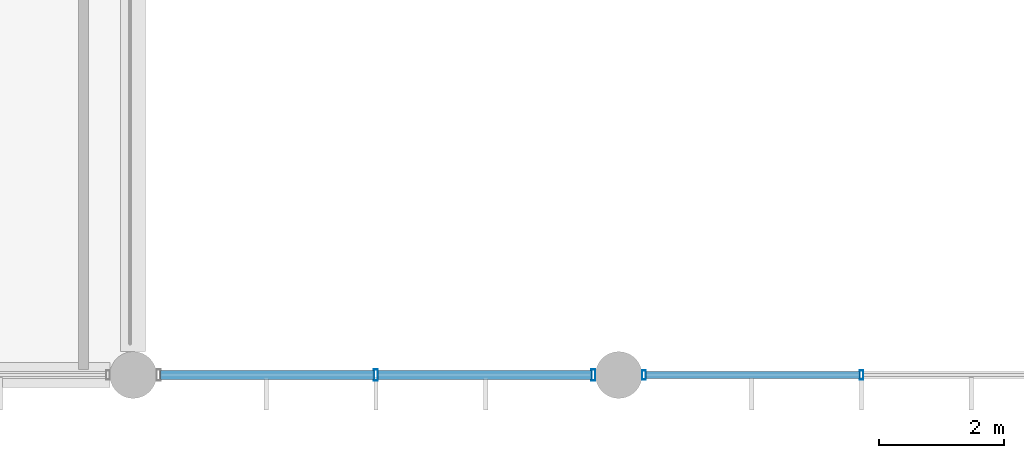
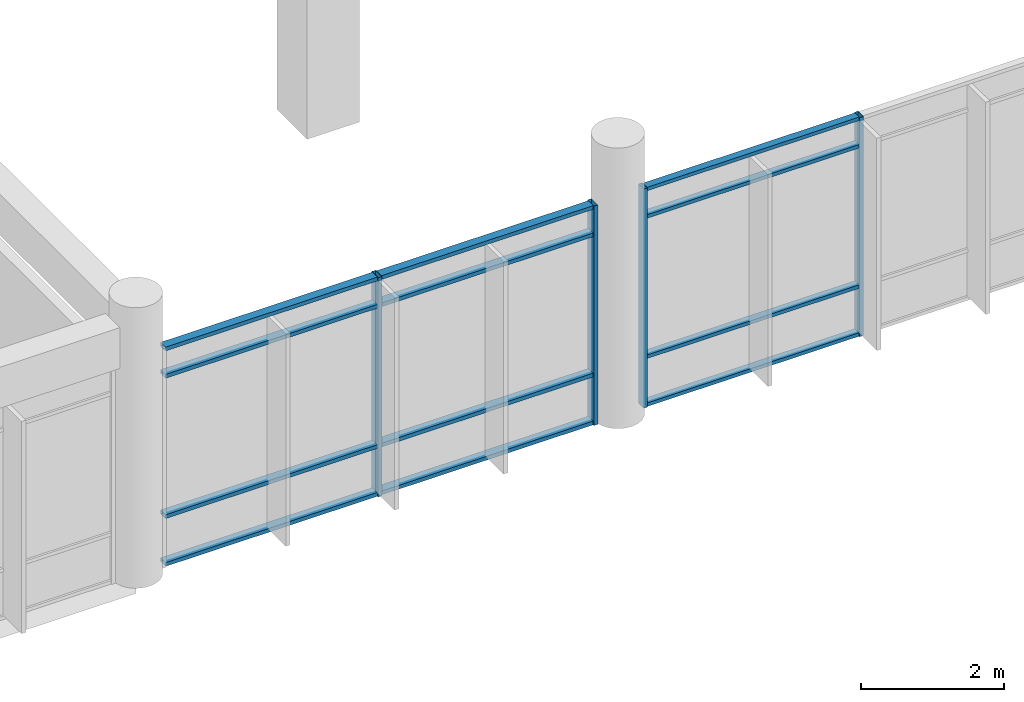
# One storey, part 11 of 79: 16 members, 2 elements without a shape of their own.
"""IFC4 building model written with IfcOpenShell, lengths in metres."""

import ifcopenshell
import ifcopenshell.guid

model = None  # the IFC model being written
_history = None  # IfcOwnerHistory: only IFC2X3 demands one
_inside = {}  # id of a spatial element -> (the spatial element, [elements in it])
_under = {}  # id of a project, library or spatial element -> (it, [spatial elements below it])
_declared = {}  # id of a project -> (the project, [libraries it declares])
_typed = {}  # id of a type object -> (the type object, [elements of that type])
_made_of = {}  # id of a material, layer set ... -> (it, [elements and type objects made of it])


def new_model(schema):
    """Start an empty IFC model of exactly this schema.

    Asked for "IFC4X3", IfcOpenShell would pick the latest addendum, in which some entities
    have other attributes; the version numbers below select the first issue.
    IFC2X3 requires an IfcOwnerHistory on every rooted entity: one is made here for all.
    """
    global model, _history
    if schema == "IFC4X3":
        model = ifcopenshell.file(schema_version=(4, 3, 0, 0))
    else:
        model = ifcopenshell.file(schema=schema)
    _inside.clear()
    _under.clear()
    _declared.clear()
    _typed.clear()
    _made_of.clear()
    _history = None
    if model.schema == "IFC2X3":
        org = make("IfcOrganization", Name="unknown")
        user = make(
            "IfcPersonAndOrganization",
            ThePerson=make("IfcPerson", FamilyName="unknown"),
            TheOrganization=org,
        )
        app = make(
            "IfcApplication",
            ApplicationDeveloper=org,
            Version="unknown",
            ApplicationFullName="unknown",
            ApplicationIdentifier="unknown",
        )
        _history = make(
            "IfcOwnerHistory",
            OwningUser=user,
            OwningApplication=app,
            ChangeAction="ADDED",
            CreationDate=0,
        )
    return model


def make(cls, **values):
    """One entity of the class cls with the attributes given. An attribute that is None is left unset."""
    return model.create_entity(
        cls, **{name: value for name, value in values.items() if value is not None}
    )


def rooted(cls, **values):
    """An entity with a GlobalId (a new one), such as an element, a storey or a relation."""
    return make(cls, GlobalId=ifcopenshell.guid.new(), OwnerHistory=_history, **values)


def si_unit(unit_type, name, prefix=None):
    """IfcSIUnit, for example si_unit("LENGTHUNIT", "METRE", prefix="MILLI")."""
    return make("IfcSIUnit", UnitType=unit_type, Prefix=prefix, Name=name)


def assignment(units):
    """IfcUnitAssignment: the units of a project."""
    return None if units is None else make("IfcUnitAssignment", Units=units)


def point(xyz):
    """IfcCartesianPoint."""
    return None if xyz is None else make("IfcCartesianPoint", Coordinates=xyz)


def direction(xyz):
    """IfcDirection."""
    return None if xyz is None else make("IfcDirection", DirectionRatios=xyz)


def frame(location, z_axis=None, x_axis=None):
    """IfcAxis2Placement3D, a coordinate frame: its origin and axes. An axis left out is left unset."""
    return make(
        "IfcAxis2Placement3D",
        Location=point(location),
        Axis=direction(z_axis),
        RefDirection=direction(x_axis),
    )


def frame_2d(location, x_axis=None):
    """IfcAxis2Placement2D, a coordinate frame in the plane: its origin and x axis."""
    return make(
        "IfcAxis2Placement2D", Location=point(location), RefDirection=direction(x_axis)
    )


def origin():
    """The frame at (0, 0, 0) with its axes left unset."""
    return frame((0.0, 0.0, 0.0))


def origin_2d():
    """The frame at (0, 0) in the plane with its x axis left unset."""
    return frame_2d((0.0, 0.0))


def place(relative_to, where):
    """IfcLocalPlacement: puts the frame where relative to a parent placement (None: the world)."""
    return make(
        "IfcLocalPlacement", PlacementRelTo=relative_to, RelativePlacement=where
    )


def context(
    kind, dimensions, precision=None, world=None, true_north=None, identifier=None
):
    """IfcGeometricRepresentationContext, for example the 3D "Model" context."""
    return make(
        "IfcGeometricRepresentationContext",
        ContextIdentifier=identifier,
        ContextType=kind,
        CoordinateSpaceDimension=dimensions,
        Precision=precision,
        WorldCoordinateSystem=world,
        TrueNorth=true_north,
    )


def subcontext(parent, identifier, kind, view, scale=None):
    """IfcGeometricRepresentationSubContext, for example "Body" below "Model"."""
    return make(
        "IfcGeometricRepresentationSubContext",
        ContextIdentifier=identifier,
        ContextType=kind,
        ParentContext=parent,
        TargetScale=scale,
        TargetView=view,
    )


def project(units=None, contexts=None):
    """IfcProject with its units and contexts."""
    return rooted(
        "IfcProject",
        Name="project",
        RepresentationContexts=contexts,
        UnitsInContext=assignment(units),
    )


def spatial(cls, under=None, at=None, **own):
    """A site, building, storey or space (cls), placed at a placement, below another one or the project."""
    s = rooted(cls, ObjectPlacement=at, **own)
    if under is not None:
        _under.setdefault(under.id(), (under, []))[1].append(s)
    return s


def profile(cls, at=None, kind="AREA", **sizes):
    """A parametric profile (cls). Its sizes go by their IFC names, for example OverallWidth=200.0."""
    return make(cls, ProfileType=kind, Position=at, **sizes)


def hollow_rectangle(**sizes):
    """IfcRectangleHollowProfileDef."""
    return profile("IfcRectangleHollowProfileDef", **sizes)


def extrude(swept, where, along, depth):
    """IfcExtrudedAreaSolid: the profile swept, set in the frame where, extruded along a direction by depth."""
    return make(
        "IfcExtrudedAreaSolid",
        SweptArea=swept,
        Position=where,
        ExtrudedDirection=direction(along),
        Depth=depth,
    )


def shape(context_of_items, identifier, shape_type, items):
    """IfcShapeRepresentation: the items that make up one representation, for example the "Body"."""
    return make(
        "IfcShapeRepresentation",
        ContextOfItems=context_of_items,
        RepresentationIdentifier=identifier,
        RepresentationType=shape_type,
        Items=items,
    )


def material(Name=None, Category=None):
    """IfcMaterial."""
    return make("IfcMaterial", Name=Name, Category=Category)


def material_profile(
    of_material, cross_section, Name=None, Category=None, Priority=None
):
    """IfcMaterialProfile: a cross section and its material."""
    return make(
        "IfcMaterialProfile",
        Name=Name,
        Material=of_material,
        Profile=cross_section,
        Priority=Priority,
        Category=Category,
    )


def profile_set(profiles, Name=None, composite=None):
    """IfcMaterialProfileSet."""
    return make(
        "IfcMaterialProfileSet",
        Name=Name,
        MaterialProfiles=profiles,
        CompositeProfile=composite,
    )


def made_of(thing, what):
    """Note that an element or type object is made of a material, layer set ...; save() writes the relation."""
    if what is not None:
        _made_of.setdefault(what.id(), (what, []))[1].append(thing)
    return thing


def type_object(cls, material=None, **own):
    """A type object (cls), such as IfcWallType, which elements share."""
    return made_of(rooted(cls, **own), material)


def element(
    cls,
    number,
    at=None,
    inside=None,
    cuts=None,
    type_object=None,
    material=None,
    context=None,
    identifier="Body",
    shape_type=None,
    held_by="IfcProductDefinitionShape",
    body=None,
    shapes=None,
    **own,
):
    """One element of the class cls, such as IfcWall. Its Tag is "e" and its number.

    at: its placement. inside: the storey or other place that contains it. cuts: it is an
    opening in that element (IfcRelVoidsElement). A single representation is given by context,
    identifier, shape_type and body (its items); several are given by shapes. held_by: the class
    of the entity that holds the representations. save() writes the other relations.
    """
    e = rooted(cls, Tag="e%d" % number, ObjectPlacement=at, **own)
    if body is not None:
        shapes = [shape(context, identifier, shape_type, body)]
    if shapes is not None:
        e.Representation = make(held_by, Representations=shapes)
    if inside is not None:
        _inside.setdefault(inside.id(), (inside, []))[1].append(e)
    if cuts is not None:
        rooted(
            "IfcRelVoidsElement", RelatingBuildingElement=cuts, RelatedOpeningElement=e
        )
    if type_object is not None:
        _typed.setdefault(type_object.id(), (type_object, []))[1].append(e)
    return made_of(e, material)


def aggregate(whole, parts):
    """IfcRelAggregates: a whole, such as a stair, and the parts it consists of."""
    return rooted("IfcRelAggregates", RelatingObject=whole, RelatedObjects=parts)


def save(model, path):
    """Write the relations noted so far, then the file.

    IfcRelAggregates (storeys below a building ...), IfcRelContainedInSpatialStructure (elements
    in a storey), IfcRelDefinesByType, IfcRelAssociatesMaterial and IfcRelDeclares: one each for
    every whole, place, type object, material and project.
    """
    for whole, parts in _under.values():
        aggregate(whole, parts)
    for where, things in _inside.values():
        rooted(
            "IfcRelContainedInSpatialStructure",
            RelatedElements=things,
            RelatingStructure=where,
        )
    for kind, things in _typed.values():
        rooted("IfcRelDefinesByType", RelatedObjects=things, RelatingType=kind)
    for what, things in _made_of.values():
        rooted("IfcRelAssociatesMaterial", RelatedObjects=things, RelatingMaterial=what)
    for by, libraries in _declared.values():
        rooted("IfcRelDeclares", RelatingContext=by, RelatedDefinitions=libraries)
    model.write(path)


model = new_model("IFC4")

# Units and contexts
model_context = context("Model", 3, precision=1e-05, world=origin(), true_north=direction((0.0, 1.0)))
body_context = subcontext(model_context, "Body", "Model", "MODEL_VIEW")
ifc_project = project(units=[si_unit("LENGTHUNIT", "METRE"), si_unit("AREAUNIT", "SQUARE_METRE"), si_unit("VOLUMEUNIT", "CUBIC_METRE"), si_unit("PLANEANGLEUNIT", "RADIAN"), si_unit("MASSUNIT", "GRAM", prefix="KILO"), si_unit("THERMODYNAMICTEMPERATUREUNIT", "KELVIN"), si_unit("POWERUNIT", "WATT")], contexts=[model_context])

# Site, building, storey
site_placement = place(None, origin())
site = spatial("IfcSite", under=ifc_project, at=site_placement, CompositionType="ELEMENT")
building_placement = place(site_placement, origin())
building = spatial("IfcBuilding", under=site, at=building_placement, Name="Srebrne Nadtorze General Hospital", CompositionType="ELEMENT")
storey_placement = place(building_placement, frame((0.0, 0.0, 4.800048828125)))
storey = spatial("IfcBuildingStorey", under=building, at=storey_placement, Name="L01", CompositionType="ELEMENT", Elevation=4.800048828125)

# Curtain wall, members
ifc_material_1 = material(Name="Anodised Aluminium", Category="aluminium")
curtain_wall_type = type_object("IfcCurtainWallType", Name="Unitised curtain wall 7050x3750", PredefinedType="NOTDEFINED", material=ifc_material_1)
curtain_wall_1_placement = place(storey_placement, origin())
curtain_wall_1 = element("IfcCurtainWall", 1, at=curtain_wall_1_placement, inside=storey, type_object=curtain_wall_type, Name="Curtain wall CW-032", PredefinedType="NOTDEFINED")
ifc_material_2 = material(Name="Anodised Aluminium", Category="aluminium")
ifc_material_profile_1 = material_profile(ifc_material_2, hollow_rectangle(XDim=0.06005859375, YDim=0.14990234375, WallThickness=0.00390625, at=origin_2d()), Name="AL-MUL-60x150")
ifc_profile_set_1 = profile_set([ifc_material_profile_1], Name="Anodised Aluminium")
member_type_1 = type_object("IfcMemberType", Name="Curtain mullion 60x150", PredefinedType="MULLION", material=ifc_profile_set_1)
member_1_placement = place(storey_placement, frame((70.60498046875, 0.0, 0.0), z_axis=(0.0, 0.0, 1.0), x_axis=(1.0, 0.0, 0.0)))
member_1 = element("IfcMember", 2, at=member_1_placement, type_object=member_type_1, Name="CW-032 mullion 1", PredefinedType="MULLION", context=body_context, shape_type="SweptSolid", body=[
    extrude(hollow_rectangle(XDim=0.06005859375, YDim=0.14990234375, WallThickness=0.00390625, at=origin_2d()), origin(), (0.0, 0.0, 1.0), 3.75),
])
member_2_placement = place(storey_placement, frame((74.10009765625, 0.0, 0.0), z_axis=(0.0, 0.0, 1.0), x_axis=(1.0, 0.0, 0.0)))
member_2 = element("IfcMember", 3, at=member_2_placement, type_object=member_type_1, Name="CW-032 mullion 2", PredefinedType="MULLION", context=body_context, shape_type="SweptSolid", body=[
    extrude(hollow_rectangle(XDim=0.06005859375, YDim=0.14990234375, WallThickness=0.00390625, at=origin_2d()), origin(), (0.0, 0.0, 1.0), 3.75),
])

curtain_wall_2_placement = place(storey_placement, origin())
curtain_wall_2 = element("IfcCurtainWall", 4, at=curtain_wall_2_placement, inside=storey, type_object=curtain_wall_type, Name="Curtain wall CW-031", PredefinedType="NOTDEFINED")
ifc_material_3 = material(Name="Anodised Aluminium", Category="aluminium")
ifc_material_profile_2 = material_profile(ifc_material_3, hollow_rectangle(XDim=0.06494140625, YDim=0.179931640625, WallThickness=0.00390625, at=origin_2d()), Name="AL-MUL-65x180")
ifc_profile_set_2 = profile_set([ifc_material_profile_2], Name="Anodised Aluminium")
member_type_2 = type_object("IfcMemberType", Name="Curtain mullion 65x180", PredefinedType="MULLION", material=ifc_profile_set_2)
member_3_placement = place(storey_placement, frame((66.300048828125, 0.0, 0.0), z_axis=(0.0, 0.0, 1.0), x_axis=(1.0, 0.0, 0.0)))
member_3 = element("IfcMember", 5, at=member_3_placement, type_object=member_type_2, Name="CW-031 mullion 2", PredefinedType="MULLION", context=body_context, shape_type="SweptSolid", body=[
    extrude(hollow_rectangle(XDim=0.06494140625, YDim=0.179931640625, WallThickness=0.00390625, at=origin_2d()), origin(), (0.0, 0.0, 1.0), 3.75),
])
member_4_placement = place(storey_placement, frame((69.79248046875, 0.0, 0.0), z_axis=(0.0, 0.0, 1.0), x_axis=(1.0, 0.0, 0.0)))
member_4 = element("IfcMember", 6, at=member_4_placement, type_object=member_type_2, Name="CW-031 mullion 3", PredefinedType="MULLION", context=body_context, shape_type="SweptSolid", body=[
    extrude(hollow_rectangle(XDim=0.06494140625, YDim=0.179931640625, WallThickness=0.00390625, at=origin_2d()), origin(), (0.0, 0.0, 1.0), 3.75),
])

# Member
ifc_material_4 = material(Name="Anodised Aluminium", Category="aluminium")
ifc_material_profile_3 = material_profile(ifc_material_4, hollow_rectangle(XDim=0.06005859375, YDim=0.1201171875, WallThickness=0.00390625, at=origin_2d()), Name="AL-TRN-60x120")
ifc_profile_set_3 = profile_set([ifc_material_profile_3], Name="Anodised Aluminium")
member_type_3 = type_object("IfcMemberType", Name="Curtain transom 60x120", PredefinedType="USERDEFINED", material=ifc_profile_set_3)
member_5_placement = place(storey_placement, frame((70.635009765625, 0.0, 0.030029296875), z_axis=(1.0, 0.0, 0.0), x_axis=(0.0, 0.0, 1.0)))
member_5 = element("IfcMember", 7, at=member_5_placement, type_object=member_type_3, Name="CW-032 transom 1.1", ObjectType="TRANSOM", PredefinedType="USERDEFINED", context=body_context, shape_type="SweptSolid", body=[
    extrude(hollow_rectangle(XDim=0.06005859375, YDim=0.1201171875, WallThickness=0.00390625, at=origin_2d()), origin(), (0.0, 0.0, 1.0), 3.43505859375),
])

member_6_placement = place(storey_placement, frame((70.635009765625, 0.0, 0.849853515625), z_axis=(1.0, 0.0, 0.0), x_axis=(0.0, 0.0, 1.0)))
member_6 = element("IfcMember", 8, at=member_6_placement, type_object=member_type_3, Name="CW-032 transom 1.2", ObjectType="TRANSOM", PredefinedType="USERDEFINED", context=body_context, shape_type="SweptSolid", body=[
    extrude(hollow_rectangle(XDim=0.06005859375, YDim=0.1201171875, WallThickness=0.00390625, at=origin_2d()), origin(), (0.0, 0.0, 1.0), 3.43505859375),
])

member_7_placement = place(storey_placement, frame((70.635009765625, 0.0, 3.25), z_axis=(1.0, 0.0, 0.0), x_axis=(0.0, 0.0, 1.0)))
member_7 = element("IfcMember", 9, at=member_7_placement, type_object=member_type_3, Name="CW-032 transom 1.3", ObjectType="TRANSOM", PredefinedType="USERDEFINED", context=body_context, shape_type="SweptSolid", body=[
    extrude(hollow_rectangle(XDim=0.06005859375, YDim=0.1201171875, WallThickness=0.00390625, at=origin_2d()), origin(), (0.0, 0.0, 1.0), 3.43505859375),
])

member_8_placement = place(storey_placement, frame((70.635009765625, 0.0, 3.719970703125), z_axis=(1.0, 0.0, 0.0), x_axis=(0.0, 0.0, 1.0)))
member_8 = element("IfcMember", 10, at=member_8_placement, type_object=member_type_3, Name="CW-032 transom 1.4", ObjectType="TRANSOM", PredefinedType="USERDEFINED", context=body_context, shape_type="SweptSolid", body=[
    extrude(hollow_rectangle(XDim=0.06005859375, YDim=0.1201171875, WallThickness=0.00390625, at=origin_2d()), origin(), (0.0, 0.0, 1.0), 3.43505859375),
])

aggregate(curtain_wall_1, [member_1, member_2, member_5, member_6, member_7, member_8])

ifc_material_5 = material(Name="Anodised Aluminium", Category="aluminium")
ifc_material_profile_4 = material_profile(ifc_material_5, hollow_rectangle(XDim=0.06494140625, YDim=0.139892578125, WallThickness=0.00390625, at=origin_2d()), Name="AL-TRN-65x140")
ifc_profile_set_4 = profile_set([ifc_material_profile_4], Name="Anodised Aluminium")
member_type_4 = type_object("IfcMemberType", Name="Curtain transom 65x140", PredefinedType="USERDEFINED", material=ifc_profile_set_4)
member_9_placement = place(storey_placement, frame((62.840087890625, 0.0, 0.032470703125), z_axis=(1.0, 0.0, 0.0), x_axis=(0.0, 0.0, 1.0)))
member_9 = element("IfcMember", 11, at=member_9_placement, type_object=member_type_4, Name="CW-031 transom 1.1", ObjectType="TRANSOM", PredefinedType="USERDEFINED", context=body_context, shape_type="SweptSolid", body=[
    extrude(hollow_rectangle(XDim=0.06494140625, YDim=0.139892578125, WallThickness=0.00390625, at=origin_2d()), origin(), (0.0, 0.0, 1.0), 3.427490234375),
])

member_10_placement = place(storey_placement, frame((62.840087890625, 0.0, 0.849853515625), z_axis=(1.0, 0.0, 0.0), x_axis=(0.0, 0.0, 1.0)))
member_10 = element("IfcMember", 12, at=member_10_placement, type_object=member_type_4, Name="CW-031 transom 1.2", ObjectType="TRANSOM", PredefinedType="USERDEFINED", context=body_context, shape_type="SweptSolid", body=[
    extrude(hollow_rectangle(XDim=0.06494140625, YDim=0.139892578125, WallThickness=0.00390625, at=origin_2d()), origin(), (0.0, 0.0, 1.0), 3.427490234375),
])

member_11_placement = place(storey_placement, frame((62.840087890625, 0.0, 3.25), z_axis=(1.0, 0.0, 0.0), x_axis=(0.0, 0.0, 1.0)))
member_11 = element("IfcMember", 13, at=member_11_placement, type_object=member_type_4, Name="CW-031 transom 1.3", ObjectType="TRANSOM", PredefinedType="USERDEFINED", context=body_context, shape_type="SweptSolid", body=[
    extrude(hollow_rectangle(XDim=0.06494140625, YDim=0.139892578125, WallThickness=0.00390625, at=origin_2d()), origin(), (0.0, 0.0, 1.0), 3.427490234375),
])

member_12_placement = place(storey_placement, frame((62.840087890625, 0.0, 3.717529296875), z_axis=(1.0, 0.0, 0.0), x_axis=(0.0, 0.0, 1.0)))
member_12 = element("IfcMember", 14, at=member_12_placement, type_object=member_type_4, Name="CW-031 transom 1.4", ObjectType="TRANSOM", PredefinedType="USERDEFINED", context=body_context, shape_type="SweptSolid", body=[
    extrude(hollow_rectangle(XDim=0.06494140625, YDim=0.139892578125, WallThickness=0.00390625, at=origin_2d()), origin(), (0.0, 0.0, 1.0), 3.427490234375),
])

member_13_placement = place(storey_placement, frame((66.33251953125, 0.0, 0.032470703125), z_axis=(1.0, 0.0, 0.0), x_axis=(0.0, 0.0, 1.0)))
member_13 = element("IfcMember", 15, at=member_13_placement, type_object=member_type_4, Name="CW-031 transom 2.1", ObjectType="TRANSOM", PredefinedType="USERDEFINED", context=body_context, shape_type="SweptSolid", body=[
    extrude(hollow_rectangle(XDim=0.06494140625, YDim=0.139892578125, WallThickness=0.00390625, at=origin_2d()), origin(), (0.0, 0.0, 1.0), 3.427490234375),
])

member_14_placement = place(storey_placement, frame((66.33251953125, 0.0, 0.849853515625), z_axis=(1.0, 0.0, 0.0), x_axis=(0.0, 0.0, 1.0)))
member_14 = element("IfcMember", 16, at=member_14_placement, type_object=member_type_4, Name="CW-031 transom 2.2", ObjectType="TRANSOM", PredefinedType="USERDEFINED", context=body_context, shape_type="SweptSolid", body=[
    extrude(hollow_rectangle(XDim=0.06494140625, YDim=0.139892578125, WallThickness=0.00390625, at=origin_2d()), origin(), (0.0, 0.0, 1.0), 3.427490234375),
])

member_15_placement = place(storey_placement, frame((66.33251953125, 0.0, 3.25), z_axis=(1.0, 0.0, 0.0), x_axis=(0.0, 0.0, 1.0)))
member_15 = element("IfcMember", 17, at=member_15_placement, type_object=member_type_4, Name="CW-031 transom 2.3", ObjectType="TRANSOM", PredefinedType="USERDEFINED", context=body_context, shape_type="SweptSolid", body=[
    extrude(hollow_rectangle(XDim=0.06494140625, YDim=0.139892578125, WallThickness=0.00390625, at=origin_2d()), origin(), (0.0, 0.0, 1.0), 3.427490234375),
])

member_16_placement = place(storey_placement, frame((66.33251953125, 0.0, 3.717529296875), z_axis=(1.0, 0.0, 0.0), x_axis=(0.0, 0.0, 1.0)))
member_16 = element("IfcMember", 18, at=member_16_placement, type_object=member_type_4, Name="CW-031 transom 2.4", ObjectType="TRANSOM", PredefinedType="USERDEFINED", context=body_context, shape_type="SweptSolid", body=[
    extrude(hollow_rectangle(XDim=0.06494140625, YDim=0.139892578125, WallThickness=0.00390625, at=origin_2d()), origin(), (0.0, 0.0, 1.0), 3.427490234375),
])

aggregate(curtain_wall_2, [member_3, member_4, member_9, member_10, member_11, member_12, member_13, member_14, member_15, member_16])

save(model, "model.ifc")
